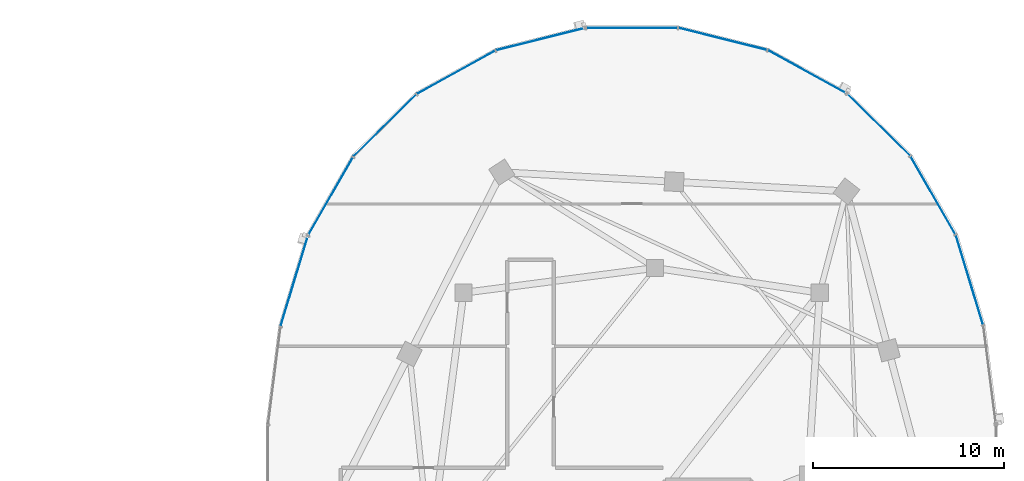
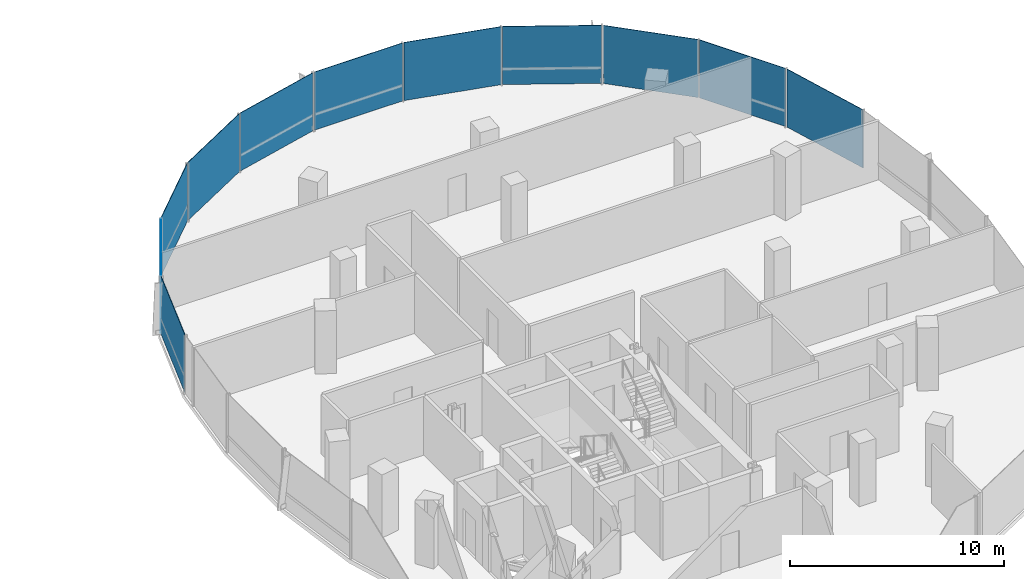
# One storey, part 11 of 23: 11 plates, 2 elements without a shape of their own.
"""IFC4 building model written with IfcOpenShell, lengths in metres."""

from ifc_helpers import new_model, si_unit, direction, frame, origin, origin_2d, place, context, subcontext, project, spatial, rectangle, extrude, material, layer, layer_set, type_object, element, aggregate, save


model = new_model("IFC4")

# Units and contexts
model_context = context("Model", 3, precision=1e-05, world=origin(), true_north=direction((0.0, 1.0)))
body_context = subcontext(model_context, "Body", "Model", "MODEL_VIEW")
ifc_project = project(units=[si_unit("LENGTHUNIT", "METRE"), si_unit("AREAUNIT", "SQUARE_METRE"), si_unit("VOLUMEUNIT", "CUBIC_METRE"), si_unit("PLANEANGLEUNIT", "RADIAN"), si_unit("MASSUNIT", "GRAM", prefix="KILO"), si_unit("THERMODYNAMICTEMPERATUREUNIT", "KELVIN"), si_unit("POWERUNIT", "WATT")], contexts=[model_context])

# Site, building, storey
site_placement = place(None, origin())
site = spatial("IfcSite", under=ifc_project, at=site_placement, CompositionType="ELEMENT")
building_placement = place(site_placement, origin())
building = spatial("IfcBuilding", under=site, at=building_placement, Name="Cundina Bronze Exchange", CompositionType="ELEMENT")
storey_placement = place(building_placement, frame((0.0, 0.0, 172.800048828125)))
storey = spatial("IfcBuildingStorey", under=building, at=storey_placement, Name="L45", CompositionType="ELEMENT", Elevation=172.800048828125)

# Curtain wall, plates
ifc_material_1 = material(Name="Anodised Bronze Aluminium 6063-T6", Category="aluminium")
curtain_wall_type = type_object("IfcCurtainWallType", Name="CWS-WST-PIN", PredefinedType="NOTDEFINED", material=ifc_material_1)
curtain_wall_1_placement = place(storey_placement, origin())
curtain_wall_1 = element("IfcCurtainWall", 1, at=curtain_wall_1_placement, inside=storey, type_object=curtain_wall_type, Name="L45 CW-04 Curtain Wall Run CWR-L45-E1", PredefinedType="NOTDEFINED")
ifc_material_2 = material(Name="Heat-Strengthened Solar-Control Bronze Safety Glass 28mm", Category="glass")
ifc_layer_1 = layer(ifc_material_2, 0.028076171875, Name="Heat-Strengthened Solar-Control Bronze Safety Glass 28mm", Category="glass")
ifc_layer_set_1 = layer_set([ifc_layer_1], Name="Heat-Strengthened Solar-Control Bronze Safety Glass 28mm")
plate_type_1 = type_object("IfcPlateType", Name="PLT-GLZ-VIS28", PredefinedType="CURTAIN_PANEL", material=ifc_layer_set_1)
plate_1_placement = place(storey_placement, frame((49.63330078125, 10.14208984375, 0.02001953125), z_axis=(0.0, 0.0, 1.0), x_axis=(-0.290050843957, 0.957011237092, 0.0)))
plate_1 = element("IfcPlate", 2, at=plate_1_placement, type_object=plate_type_1, Name="CW-04 Glazed Panel 2", PredefinedType="CURTAIN_PANEL", context=body_context, shape_type="SweptSolid", body=[
    extrude(rectangle(XDim=4.885009765625, YDim=0.028076171875, at=origin_2d()), origin(), (0.0, 0.0, 1.0), 3.320068359375),
])
plate_2_placement = place(storey_placement, frame((47.734375, 14.564697265625, 0.02001953125), z_axis=(0.0, 0.0, 1.0), x_axis=(-0.498487739754, 0.866896748936, 0.0)))
plate_2 = element("IfcPlate", 3, at=plate_2_placement, type_object=plate_type_1, Name="CW-04 Glazed Panel 3", PredefinedType="CURTAIN_PANEL", context=body_context, shape_type="SweptSolid", body=[
    extrude(rectangle(XDim=4.676513671875, YDim=0.028076171875, at=origin_2d()), origin(), (0.0, 0.0, 1.0), 3.320068359375),
])
plate_3_placement = place(storey_placement, frame((44.894775390625, 18.253662109375, 0.02001953125), z_axis=(0.0, 0.0, 1.0), x_axis=(-0.711989280367, 0.702190333629, 0.0)))
plate_3 = element("IfcPlate", 4, at=plate_3_placement, type_object=plate_type_1, Name="CW-04 Glazed Panel 4", PredefinedType="CURTAIN_PANEL", context=body_context, shape_type="SweptSolid", body=[
    extrude(rectangle(XDim=4.6025390625, YDim=0.028076171875, at=origin_2d()), origin(), (0.0, 0.0, 1.0), 3.320068359375),
])
plate_4_placement = place(storey_placement, frame((36.76513671875, 22.75244140625, 0.02001953125), z_axis=(0.0, 0.0, 1.0), x_axis=(-0.970092713791, 0.242734683656, 0.0)))
plate_4 = element("IfcPlate", 5, at=plate_4_placement, type_object=plate_type_1, Name="CW-04 Glazed Panel 6", PredefinedType="CURTAIN_PANEL", context=body_context, shape_type="SweptSolid", body=[
    extrude(rectangle(XDim=4.7548828125, YDim=0.028076171875, at=origin_2d()), origin(), (0.0, 0.0, 1.0), 3.320068359375),
])
plate_5_placement = place(storey_placement, frame((32.0, 23.3369140625, 0.02001953125), z_axis=(0.0, 0.0, 1.0), x_axis=(-1.0, 0.0, 0.0)))
plate_5 = element("IfcPlate", 6, at=plate_5_placement, type_object=plate_type_1, Name="CW-04 Glazed Panel 7", PredefinedType="CURTAIN_PANEL", context=body_context, shape_type="SweptSolid", body=[
    extrude(rectangle(XDim=4.7958984375, YDim=0.028076171875, at=origin_2d()), origin(), (0.0, 0.0, 1.0), 3.320068359375),
])

curtain_wall_2_placement = place(storey_placement, origin())
curtain_wall_2 = element("IfcCurtainWall", 7, at=curtain_wall_2_placement, inside=storey, type_object=curtain_wall_type, Name="L45 CW-04 Curtain Wall Run CWR-L45-E2", PredefinedType="NOTDEFINED")
plate_6_placement = place(storey_placement, frame((27.23486328125, 22.75244140625, 0.02001953125), z_axis=(0.0, 0.0, 1.0), x_axis=(-0.970092713791, -0.242734683656, 0.0)))
plate_6 = element("IfcPlate", 8, at=plate_6_placement, type_object=plate_type_1, Name="CW-04 Glazed Panel 1", PredefinedType="CURTAIN_PANEL", context=body_context, shape_type="SweptSolid", body=[
    extrude(rectangle(XDim=4.7548828125, YDim=0.028076171875, at=origin_2d()), origin(), (0.0, 0.0, 1.0), 3.320068359375),
])
plate_7_placement = place(storey_placement, frame((22.83154296875, 21.02880859375, 0.02001953125), z_axis=(0.0, 0.0, 1.0), x_axis=(-0.875869093438, -0.482548786301, 0.0)))
plate_7 = element("IfcPlate", 9, at=plate_7_placement, type_object=plate_type_1, Name="CW-04 Glazed Panel 2", PredefinedType="CURTAIN_PANEL", context=body_context, shape_type="SweptSolid", body=[
    extrude(rectangle(XDim=4.661865234375, YDim=0.028076171875, at=origin_2d()), origin(), (0.0, 0.0, 1.0), 3.320068359375),
])
plate_8_placement = place(storey_placement, frame((19.105224609375, 18.253662109375, 0.02001953125), z_axis=(0.0, 0.0, 1.0), x_axis=(-0.711989280367, -0.702190333629, 0.0)))
plate_8 = element("IfcPlate", 10, at=plate_8_placement, type_object=plate_type_1, Name="CW-04 Glazed Panel 3", PredefinedType="CURTAIN_PANEL", context=body_context, shape_type="SweptSolid", body=[
    extrude(rectangle(XDim=4.6025390625, YDim=0.028076171875, at=origin_2d()), origin(), (0.0, 0.0, 1.0), 3.320068359375),
])
plate_9_placement = place(storey_placement, frame((14.36669921875, 10.14208984375, 0.02001953125), z_axis=(0.0, 0.0, 1.0), x_axis=(-0.290050843957, -0.957011237092, 0.0)))
plate_9 = element("IfcPlate", 11, at=plate_9_placement, type_object=plate_type_1, Name="CW-04 Glazed Panel 5", PredefinedType="CURTAIN_PANEL", context=body_context, shape_type="SweptSolid", body=[
    extrude(rectangle(XDim=4.885009765625, YDim=0.028076171875, at=origin_2d()), origin(), (0.0, 0.0, 1.0), 3.320068359375),
])

# Plate
ifc_material_3 = material(Name="Dark Bronze Spandrel Glass Panel 32mm", Category="glass")
ifc_layer_2 = layer(ifc_material_3, 0.031982421875, Name="Dark Bronze Spandrel Glass Panel 32mm", Category="glass")
ifc_layer_set_2 = layer_set([ifc_layer_2], Name="Dark Bronze Spandrel Glass Panel 32mm")
plate_type_2 = type_object("IfcPlateType", Name="PLT-SPN-BRZ32", PredefinedType="CURTAIN_PANEL", material=ifc_layer_set_2)
plate_10_placement = place(storey_placement, frame((41.16845703125, 21.02880859375, 0.02001953125), z_axis=(0.0, 0.0, 1.0), x_axis=(-0.875869093438, 0.482548786301, 0.0)))
plate_10 = element("IfcPlate", 12, at=plate_10_placement, type_object=plate_type_2, Name="CW-04 Glazed Panel 5", PredefinedType="CURTAIN_PANEL", context=body_context, shape_type="SweptSolid", body=[
    extrude(rectangle(XDim=4.661865234375, YDim=0.031982421875, at=origin_2d()), origin(), (0.0, 0.0, 1.0), 3.320068359375),
])

aggregate(curtain_wall_1, [plate_1, plate_2, plate_3, plate_10, plate_4, plate_5])

plate_11_placement = place(storey_placement, frame((16.265625, 14.564697265625, 0.02001953125), z_axis=(0.0, 0.0, 1.0), x_axis=(-0.498487739754, -0.866896748936, 0.0)))
plate_11 = element("IfcPlate", 13, at=plate_11_placement, type_object=plate_type_2, Name="CW-04 Glazed Panel 4", PredefinedType="CURTAIN_PANEL", context=body_context, shape_type="SweptSolid", body=[
    extrude(rectangle(XDim=4.676513671875, YDim=0.031982421875, at=origin_2d()), origin(), (0.0, 0.0, 1.0), 3.320068359375),
])

aggregate(curtain_wall_2, [plate_6, plate_7, plate_8, plate_11, plate_9])

save(model, "model.ifc")
